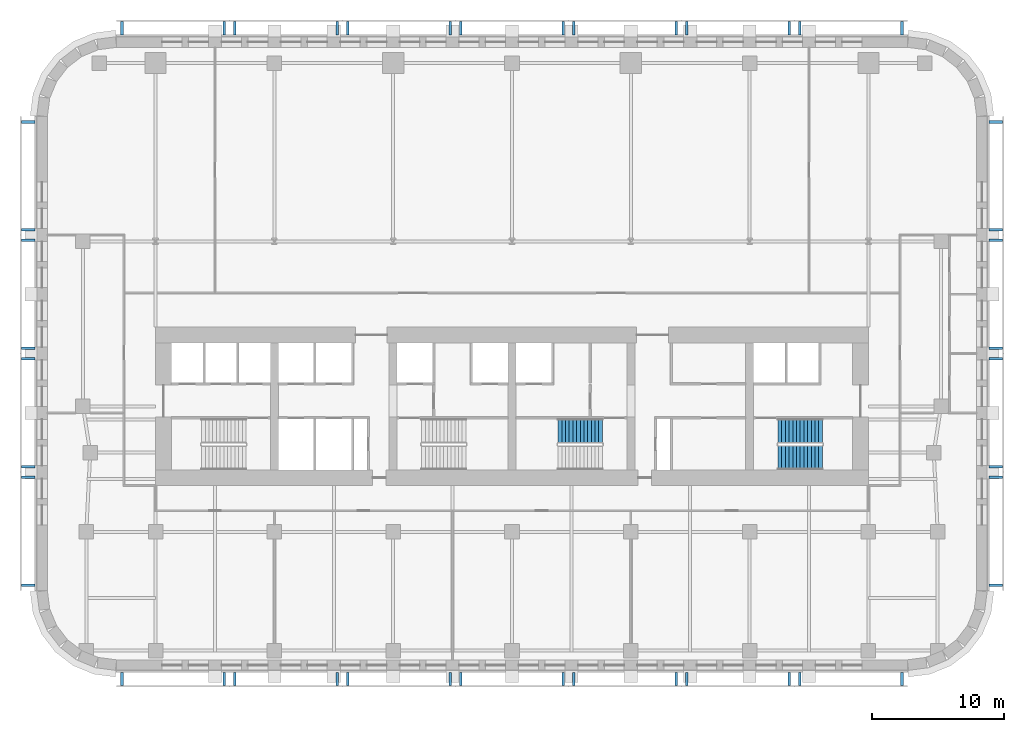
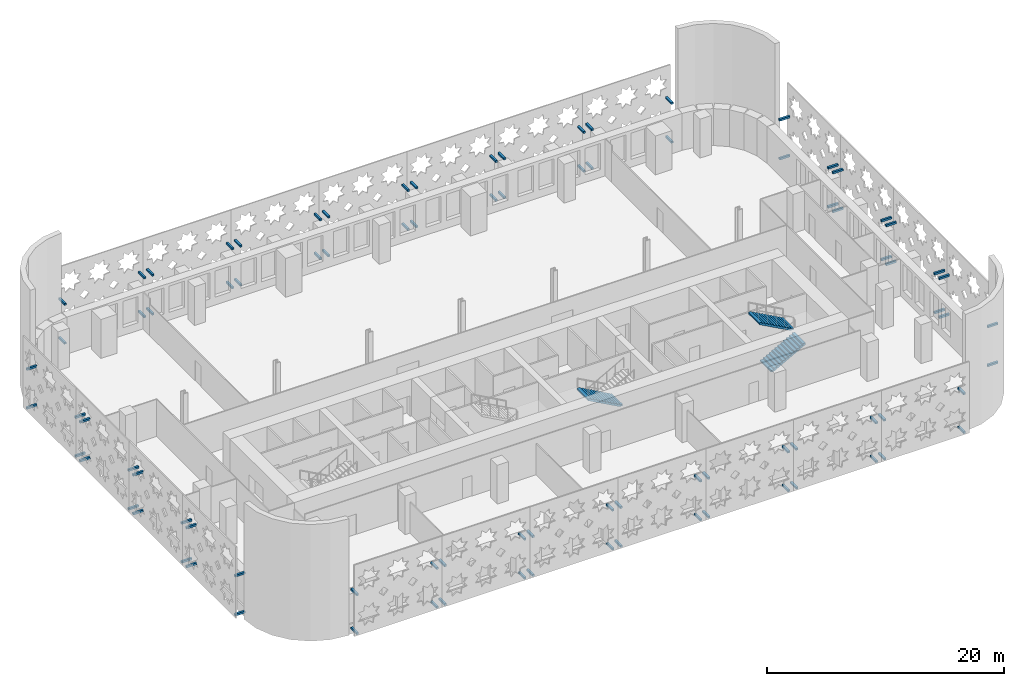
# One storey, part 8 of 13: 88 discrete accessories, 3 stair flights, 2 elements without a shape of their own.
"""IFC4 building model written with IfcOpenShell, lengths in metres."""

from ifc_helpers import new_model, si_unit, direction, frame, origin, origin_2d, place, context, subcontext, project, spatial, polyline, rectangle, outline, extrude, material, type_object, element, aggregate, save


model = new_model("IFC4")

# Units and contexts
model_context = context("Model", 3, precision=1e-05, world=origin(), true_north=direction((0.0, 1.0)))
body_context = subcontext(model_context, "Body", "Model", "MODEL_VIEW")
ifc_project = project(units=[si_unit("LENGTHUNIT", "METRE"), si_unit("AREAUNIT", "SQUARE_METRE"), si_unit("VOLUMEUNIT", "CUBIC_METRE"), si_unit("PLANEANGLEUNIT", "RADIAN"), si_unit("MASSUNIT", "GRAM", prefix="KILO")], contexts=[model_context])

# Site, building, storey
site_placement = place(None, origin())
site = spatial("IfcSite", under=ifc_project, at=site_placement, CompositionType="ELEMENT")
building_placement = place(site_placement, origin())
building = spatial("IfcBuilding", under=site, at=building_placement, Name="Zellij Exchange Tower", CompositionType="ELEMENT")
storey_placement = place(building_placement, frame((0.0, 0.0, 52.5)))
storey = spatial("IfcBuildingStorey", under=building, at=storey_placement, Name="L09", CompositionType="ELEMENT", Elevation=52.5)

# Stair, stair flight
ifc_material_1 = material(Name="Concrete C40/50", Category="concrete")
stair_type = type_object("IfcStairType", Name="CORE-ST exit stair 1850 wide", PredefinedType="HALF_TURN_STAIR", material=ifc_material_1)
stair_1_placement = place(storey_placement, origin())
stair_1 = element("IfcStair", 1, at=stair_1_placement, inside=storey, type_object=stair_type, Name="L09 exit stair ST3", PredefinedType="HALF_TURN_STAIR")
stair_flight_type = type_object("IfcStairFlightType", Name="CORE-SF flight 1850 riser 153.8 going 280", PredefinedType="STRAIGHT", material=ifc_material_1)
stair_flight_1_placement = place(storey_placement, frame((6.85009765625, -9.875, 0.0), z_axis=(0.0, 0.0, 1.0), x_axis=(-1.0, 0.0, 0.0)))
stair_flight_1 = element("IfcStairFlight", 2, at=stair_flight_1_placement, type_object=stair_flight_type, Name="ST3 flight 1", NumberOfRisers=13, NumberOfTreads=12, PredefinedType="STRAIGHT", RiserHeight=0.153846154, TreadLength=0.28, context=body_context, shape_type="SweptSolid", body=[
    extrude(outline(polyline([(0.0, 0.0), (0.0, 0.15380859375), (0.280029296875, 0.15380859375), (0.280029296875, 0.3076171875), (0.56005859375, 0.3076171875), (0.56005859375, 0.46142578125), (0.840087890625, 0.46142578125), (0.840087890625, 0.615478515625), (1.1201171875, 0.615478515625), (1.1201171875, 0.769287109375), (1.39990234375, 0.769287109375), (1.39990234375, 0.923095703125), (1.679931640625, 0.923095703125), (1.679931640625, 1.076904296875), (1.9599609375, 1.076904296875), (1.9599609375, 1.230712890625), (2.239990234375, 1.230712890625), (2.239990234375, 1.384521484375), (2.52001953125, 1.384521484375), (2.52001953125, 1.53857421875), (2.800048828125, 1.53857421875), (2.800048828125, 1.6923828125), (3.080078125, 1.6923828125), (3.080078125, 1.84619140625), (3.360107421875, 1.84619140625), (3.360107421875, 2.0), (3.360107421875, 1.675048828125), (0.311279296875, 0.0), (0.0, 0.0)])), frame((0.0, 0.925048828125, 0.0), z_axis=(0.0, -1.0, 0.0), x_axis=(1.0, 0.0, 0.0)), (0.0, 0.0, 1.0), 1.85009765625),
])
aggregate(stair_1, [stair_flight_1])

# Stair, stair flights
stair_2_placement = place(storey_placement, origin())
stair_2 = element("IfcStair", 3, at=stair_2_placement, inside=storey, type_object=stair_type, Name="L09 exit stair ST4", PredefinedType="HALF_TURN_STAIR")
stair_flight_2_placement = place(storey_placement, frame((20.14990234375, -11.875, 0.0), z_axis=(0.0, 0.0, 1.0), x_axis=(1.0, 0.0, 0.0)))
stair_flight_2 = element("IfcStairFlight", 4, at=stair_flight_2_placement, type_object=stair_flight_type, Name="ST4 flight 1", NumberOfRisers=13, NumberOfTreads=12, PredefinedType="STRAIGHT", RiserHeight=0.153846154, TreadLength=0.28, context=body_context, shape_type="SweptSolid", body=[
    extrude(outline(polyline([(0.0, 0.0), (0.0, 0.15380859375), (0.280029296875, 0.15380859375), (0.280029296875, 0.3076171875), (0.56005859375, 0.3076171875), (0.56005859375, 0.46142578125), (0.840087890625, 0.46142578125), (0.840087890625, 0.615478515625), (1.1201171875, 0.615478515625), (1.1201171875, 0.769287109375), (1.39990234375, 0.769287109375), (1.39990234375, 0.923095703125), (1.679931640625, 0.923095703125), (1.679931640625, 1.076904296875), (1.9599609375, 1.076904296875), (1.9599609375, 1.230712890625), (2.239990234375, 1.230712890625), (2.239990234375, 1.384521484375), (2.52001953125, 1.384521484375), (2.52001953125, 1.53857421875), (2.800048828125, 1.53857421875), (2.800048828125, 1.6923828125), (3.080078125, 1.6923828125), (3.080078125, 1.84619140625), (3.360107421875, 1.84619140625), (3.360107421875, 2.0), (3.360107421875, 1.675048828125), (0.311279296875, 0.0), (0.0, 0.0)])), frame((0.0, 0.925048828125, 0.0), z_axis=(0.0, -1.0, 0.0), x_axis=(1.0, 0.0, 0.0)), (0.0, 0.0, 1.0), 1.85009765625),
])
stair_flight_3_placement = place(storey_placement, frame((23.510009765625, -9.875, 2.0), z_axis=(0.0, 0.0, 1.0), x_axis=(-1.0, 0.0, 0.0)))
stair_flight_3 = element("IfcStairFlight", 5, at=stair_flight_3_placement, type_object=stair_flight_type, Name="ST4 flight 2", NumberOfRisers=13, NumberOfTreads=12, PredefinedType="STRAIGHT", RiserHeight=0.153846154, TreadLength=0.28, context=body_context, shape_type="SweptSolid", body=[
    extrude(outline(polyline([(0.0, 0.0), (0.0, 0.15380859375), (0.280029296875, 0.15380859375), (0.280029296875, 0.3076171875), (0.56005859375, 0.3076171875), (0.56005859375, 0.46142578125), (0.840087890625, 0.46142578125), (0.840087890625, 0.615478515625), (1.1201171875, 0.615478515625), (1.1201171875, 0.769287109375), (1.39990234375, 0.769287109375), (1.39990234375, 0.923095703125), (1.679931640625, 0.923095703125), (1.679931640625, 1.076904296875), (1.9599609375, 1.076904296875), (1.9599609375, 1.230712890625), (2.239990234375, 1.230712890625), (2.239990234375, 1.384521484375), (2.52001953125, 1.384521484375), (2.52001953125, 1.53857421875), (2.800048828125, 1.53857421875), (2.800048828125, 1.6923828125), (3.080078125, 1.6923828125), (3.080078125, 1.84619140625), (3.360107421875, 1.84619140625), (3.360107421875, 2.0), (3.360107421875, 1.675048828125), (0.311279296875, 0.0), (0.0, 0.0)])), frame((0.0, 0.925048828125, 0.0), z_axis=(0.0, -1.0, 0.0), x_axis=(1.0, 0.0, 0.0)), (0.0, 0.0, 1.0), 1.85009765625),
])
aggregate(stair_2, [stair_flight_2, stair_flight_3])

# Discrete accessories
ifc_material_2 = material(Name="Stainless steel", Category="steel")
discrete_accessory_type = type_object("IfcDiscreteAccessoryType", Name="ENV-BR1 Stone panel bracket 200", PredefinedType="USERDEFINED", material=ifc_material_2)
for number, where, z_axis, x_axis, name in (
    (6, (-36.64990234375, 13.547607421875, 0.2998046875), (0.0, 0.0, 1.0), (0.0, -1.0, 0.0), "Panel bracket"),
    (7, (-36.64990234375, 5.373779296875, 0.2998046875), (0.0, 0.0, 1.0), (0.0, -1.0, 0.0), "Panel bracket"),
    (8, (-36.64990234375, 13.547607421875, 4.2998046875), (0.0, 0.0, 1.0), (0.0, -1.0, 0.0), "Panel bracket"),
    (9, (-36.64990234375, 5.373779296875, 4.2998046875), (0.0, 0.0, 1.0), (0.0, -1.0, 0.0), "Panel bracket"),
    (10, (-36.64990234375, 4.57373046875, 0.2998046875), (0.0, 0.0, 1.0), (0.0, -1.0, 0.0), "Panel bracket"),
    (11, (-36.64990234375, -3.60009765625, 0.2998046875), (0.0, 0.0, 1.0), (0.0, -1.0, 0.0), "Panel bracket"),
    (12, (-36.64990234375, 4.57373046875, 4.2998046875), (0.0, 0.0, 1.0), (0.0, -1.0, 0.0), "Panel bracket"),
    (13, (-36.64990234375, -3.60009765625, 4.2998046875), (0.0, 0.0, 1.0), (0.0, -1.0, 0.0), "Panel bracket"),
    (14, (-36.64990234375, -4.39990234375, 0.2998046875), (0.0, 0.0, 1.0), (0.0, -1.0, 0.0), "Panel bracket"),
    (15, (-36.64990234375, -12.57373046875, 0.2998046875), (0.0, 0.0, 1.0), (0.0, -1.0, 0.0), "Panel bracket"),
    (16, (-36.64990234375, -4.39990234375, 4.2998046875), (0.0, 0.0, 1.0), (0.0, -1.0, 0.0), "Panel bracket"),
    (17, (-36.64990234375, -12.57373046875, 4.2998046875), (0.0, 0.0, 1.0), (0.0, -1.0, 0.0), "Panel bracket"),
    (18, (-36.64990234375, -13.373779296875, 0.2998046875), (0.0, 0.0, 1.0), (0.0, -1.0, 0.0), "Panel bracket"),
    (19, (-36.64990234375, -21.547607421875, 0.2998046875), (0.0, 0.0, 1.0), (0.0, -1.0, 0.0), "Panel bracket"),
    (20, (-36.64990234375, -13.373779296875, 4.2998046875), (0.0, 0.0, 1.0), (0.0, -1.0, 0.0), "Panel bracket"),
    (21, (-36.64990234375, -21.547607421875, 4.2998046875), (0.0, 0.0, 1.0), (0.0, -1.0, 0.0), "Panel bracket"),
    (22, (-29.547607421875, -28.64990234375, 0.2998046875), (0.0, 0.0, 1.0), (1.0, 0.0, 0.0), "Panel bracket"),
    (23, (-21.791015625, -28.64990234375, 0.2998046875), (0.0, 0.0, 1.0), (1.0, 0.0, 0.0), "Panel bracket"),
    (24, (-29.547607421875, -28.64990234375, 4.2998046875), (0.0, 0.0, 1.0), (1.0, 0.0, 0.0), "Panel bracket"),
    (25, (-21.791015625, -28.64990234375, 4.2998046875), (0.0, 0.0, 1.0), (1.0, 0.0, 0.0), "Panel bracket"),
    (26, (-20.9912109375, -28.64990234375, 0.2998046875), (0.0, 0.0, 1.0), (1.0, 0.0, 0.0), "Panel bracket"),
    (27, (-13.234619140625, -28.64990234375, 0.2998046875), (0.0, 0.0, 1.0), (1.0, 0.0, 0.0), "Panel bracket"),
    (28, (-20.9912109375, -28.64990234375, 4.2998046875), (0.0, 0.0, 1.0), (1.0, 0.0, 0.0), "Panel bracket"),
    (29, (-13.234619140625, -28.64990234375, 4.2998046875), (0.0, 0.0, 1.0), (1.0, 0.0, 0.0), "Panel bracket"),
    (30, (-12.434814453125, -28.64990234375, 0.2998046875), (0.0, 0.0, 1.0), (1.0, 0.0, 0.0), "Panel bracket"),
    (31, (-4.67822265625, -28.64990234375, 0.2998046875), (0.0, 0.0, 1.0), (1.0, 0.0, 0.0), "Panel bracket"),
    (32, (-12.434814453125, -28.64990234375, 4.2998046875), (0.0, 0.0, 1.0), (1.0, 0.0, 0.0), "Panel bracket"),
    (33, (-4.67822265625, -28.64990234375, 4.2998046875), (0.0, 0.0, 1.0), (1.0, 0.0, 0.0), "Panel bracket"),
    (34, (-3.878173828125, -28.64990234375, 0.2998046875), (0.0, 0.0, 1.0), (1.0, 0.0, 0.0), "Panel bracket"),
    (35, (3.878173828125, -28.64990234375, 0.2998046875), (0.0, 0.0, 1.0), (1.0, 0.0, 0.0), "Panel bracket"),
    (36, (-3.878173828125, -28.64990234375, 4.2998046875), (0.0, 0.0, 1.0), (1.0, 0.0, 0.0), "Panel bracket"),
    (37, (3.878173828125, -28.64990234375, 4.2998046875), (0.0, 0.0, 1.0), (1.0, 0.0, 0.0), "Panel bracket"),
    (38, (4.67822265625, -28.64990234375, 0.2998046875), (0.0, 0.0, 1.0), (1.0, 0.0, 0.0), "Panel bracket"),
    (39, (12.434814453125, -28.64990234375, 0.2998046875), (0.0, 0.0, 1.0), (1.0, 0.0, 0.0), "Panel bracket"),
    (40, (4.67822265625, -28.64990234375, 4.2998046875), (0.0, 0.0, 1.0), (1.0, 0.0, 0.0), "Panel bracket"),
    (41, (12.434814453125, -28.64990234375, 4.2998046875), (0.0, 0.0, 1.0), (1.0, 0.0, 0.0), "Panel bracket"),
    (42, (13.234619140625, -28.64990234375, 0.2998046875), (0.0, 0.0, 1.0), (1.0, 0.0, 0.0), "Panel bracket"),
    (43, (20.9912109375, -28.64990234375, 0.2998046875), (0.0, 0.0, 1.0), (1.0, 0.0, 0.0), "Panel bracket"),
    (44, (13.234619140625, -28.64990234375, 4.2998046875), (0.0, 0.0, 1.0), (1.0, 0.0, 0.0), "Panel bracket"),
    (45, (20.9912109375, -28.64990234375, 4.2998046875), (0.0, 0.0, 1.0), (1.0, 0.0, 0.0), "Panel bracket"),
    (46, (21.791015625, -28.64990234375, 0.2998046875), (0.0, 0.0, 1.0), (1.0, 0.0, 0.0), "Panel bracket"),
    (47, (29.547607421875, -28.64990234375, 0.2998046875), (0.0, 0.0, 1.0), (1.0, 0.0, 0.0), "Panel bracket"),
    (48, (21.791015625, -28.64990234375, 4.2998046875), (0.0, 0.0, 1.0), (1.0, 0.0, 0.0), "Panel bracket"),
    (49, (29.547607421875, -28.64990234375, 4.2998046875), (0.0, 0.0, 1.0), (1.0, 0.0, 0.0), "Panel bracket"),
    (50, (29.547607421875, 20.64990234375, 0.2998046875), (0.0, 0.0, 1.0), (-1.0, 0.0, 0.0), "Panel bracket"),
    (51, (21.791015625, 20.64990234375, 0.2998046875), (0.0, 0.0, 1.0), (-1.0, 0.0, 0.0), "Panel bracket"),
    (52, (29.547607421875, 20.64990234375, 4.2998046875), (0.0, 0.0, 1.0), (-1.0, 0.0, 0.0), "Panel bracket"),
    (53, (21.791015625, 20.64990234375, 4.2998046875), (0.0, 0.0, 1.0), (-1.0, 0.0, 0.0), "Panel bracket"),
    (54, (20.9912109375, 20.64990234375, 0.2998046875), (0.0, 0.0, 1.0), (-1.0, 0.0, 0.0), "Panel bracket"),
    (55, (13.234619140625, 20.64990234375, 0.2998046875), (0.0, 0.0, 1.0), (-1.0, 0.0, 0.0), "Panel bracket"),
    (56, (20.9912109375, 20.64990234375, 4.2998046875), (0.0, 0.0, 1.0), (-1.0, 0.0, 0.0), "Panel bracket"),
    (57, (13.234619140625, 20.64990234375, 4.2998046875), (0.0, 0.0, 1.0), (-1.0, 0.0, 0.0), "Panel bracket"),
    (58, (12.434814453125, 20.64990234375, 0.2998046875), (0.0, 0.0, 1.0), (-1.0, 0.0, 0.0), "Panel bracket"),
    (59, (4.67822265625, 20.64990234375, 0.2998046875), (0.0, 0.0, 1.0), (-1.0, 0.0, 0.0), "Panel bracket"),
    (60, (12.434814453125, 20.64990234375, 4.2998046875), (0.0, 0.0, 1.0), (-1.0, 0.0, 0.0), "Panel bracket"),
    (61, (4.67822265625, 20.64990234375, 4.2998046875), (0.0, 0.0, 1.0), (-1.0, 0.0, 0.0), "Panel bracket"),
    (62, (3.878173828125, 20.64990234375, 0.2998046875), (0.0, 0.0, 1.0), (-1.0, 0.0, 0.0), "Panel bracket"),
    (63, (-3.878173828125, 20.64990234375, 0.2998046875), (0.0, 0.0, 1.0), (-1.0, 0.0, 0.0), "Panel bracket"),
    (64, (3.878173828125, 20.64990234375, 4.2998046875), (0.0, 0.0, 1.0), (-1.0, 0.0, 0.0), "Panel bracket"),
    (65, (-3.878173828125, 20.64990234375, 4.2998046875), (0.0, 0.0, 1.0), (-1.0, 0.0, 0.0), "Panel bracket"),
    (66, (-4.67822265625, 20.64990234375, 0.2998046875), (0.0, 0.0, 1.0), (-1.0, 0.0, 0.0), "Panel bracket"),
    (67, (-12.434814453125, 20.64990234375, 0.2998046875), (0.0, 0.0, 1.0), (-1.0, 0.0, 0.0), "Panel bracket"),
    (68, (-4.67822265625, 20.64990234375, 4.2998046875), (0.0, 0.0, 1.0), (-1.0, 0.0, 0.0), "Panel bracket"),
    (69, (-12.434814453125, 20.64990234375, 4.2998046875), (0.0, 0.0, 1.0), (-1.0, 0.0, 0.0), "Panel bracket"),
    (70, (-13.234619140625, 20.64990234375, 0.2998046875), (0.0, 0.0, 1.0), (-1.0, 0.0, 0.0), "Panel bracket"),
    (71, (-20.9912109375, 20.64990234375, 0.2998046875), (0.0, 0.0, 1.0), (-1.0, 0.0, 0.0), "Panel bracket"),
    (72, (-13.234619140625, 20.64990234375, 4.2998046875), (0.0, 0.0, 1.0), (-1.0, 0.0, 0.0), "Panel bracket"),
    (73, (-20.9912109375, 20.64990234375, 4.2998046875), (0.0, 0.0, 1.0), (-1.0, 0.0, 0.0), "Panel bracket"),
    (74, (-21.791015625, 20.64990234375, 0.2998046875), (0.0, 0.0, 1.0), (-1.0, 0.0, 0.0), "Panel bracket"),
    (75, (-29.547607421875, 20.64990234375, 0.2998046875), (0.0, 0.0, 1.0), (-1.0, 0.0, 0.0), "Panel bracket"),
    (76, (-21.791015625, 20.64990234375, 4.2998046875), (0.0, 0.0, 1.0), (-1.0, 0.0, 0.0), "Panel bracket"),
    (77, (-29.547607421875, 20.64990234375, 4.2998046875), (0.0, 0.0, 1.0), (-1.0, 0.0, 0.0), "Panel bracket"),
    (78, (36.64990234375, -21.547607421875, 0.2998046875), (0.0, 0.0, 1.0), (0.0, 1.0, 0.0), "Panel bracket"),
    (79, (36.64990234375, -13.373779296875, 0.2998046875), (0.0, 0.0, 1.0), (0.0, 1.0, 0.0), "Panel bracket"),
    (80, (36.64990234375, -21.547607421875, 4.2998046875), (0.0, 0.0, 1.0), (0.0, 1.0, 0.0), "Panel bracket"),
    (81, (36.64990234375, -13.373779296875, 4.2998046875), (0.0, 0.0, 1.0), (0.0, 1.0, 0.0), "Panel bracket"),
    (82, (36.64990234375, -12.57373046875, 0.2998046875), (0.0, 0.0, 1.0), (0.0, 1.0, 0.0), "Panel bracket"),
    (83, (36.64990234375, -4.39990234375, 0.2998046875), (0.0, 0.0, 1.0), (0.0, 1.0, 0.0), "Panel bracket"),
    (84, (36.64990234375, -12.57373046875, 4.2998046875), (0.0, 0.0, 1.0), (0.0, 1.0, 0.0), "Panel bracket"),
    (85, (36.64990234375, -4.39990234375, 4.2998046875), (0.0, 0.0, 1.0), (0.0, 1.0, 0.0), "Panel bracket"),
    (86, (36.64990234375, -3.60009765625, 0.2998046875), (0.0, 0.0, 1.0), (0.0, 1.0, 0.0), "Panel bracket"),
    (87, (36.64990234375, 4.57373046875, 0.2998046875), (0.0, 0.0, 1.0), (0.0, 1.0, 0.0), "Panel bracket"),
    (88, (36.64990234375, -3.60009765625, 4.2998046875), (0.0, 0.0, 1.0), (0.0, 1.0, 0.0), "Panel bracket"),
    (89, (36.64990234375, 4.57373046875, 4.2998046875), (0.0, 0.0, 1.0), (0.0, 1.0, 0.0), "Panel bracket"),
    (90, (36.64990234375, 5.373779296875, 0.2998046875), (0.0, 0.0, 1.0), (0.0, 1.0, 0.0), "Panel bracket"),
    (91, (36.64990234375, 13.547607421875, 0.2998046875), (0.0, 0.0, 1.0), (0.0, 1.0, 0.0), "Panel bracket"),
    (92, (36.64990234375, 5.373779296875, 4.2998046875), (0.0, 0.0, 1.0), (0.0, 1.0, 0.0), "Panel bracket"),
    (93, (36.64990234375, 13.547607421875, 4.2998046875), (0.0, 0.0, 1.0), (0.0, 1.0, 0.0), "Panel bracket"),
):
    element("IfcDiscreteAccessory", number, at=place(storey_placement, frame(where, z_axis=z_axis, x_axis=x_axis)), inside=storey, type_object=discrete_accessory_type, Name=name, ObjectType="BRACKET", PredefinedType="USERDEFINED", context=body_context, shape_type="SweptSolid", body=[
        extrude(rectangle(XDim=0.199951171875, YDim=1.0, at=origin_2d()), origin(), (0.0, 0.0, 1.0), 0.199951171875),
    ])

save(model, "model.ifc")
